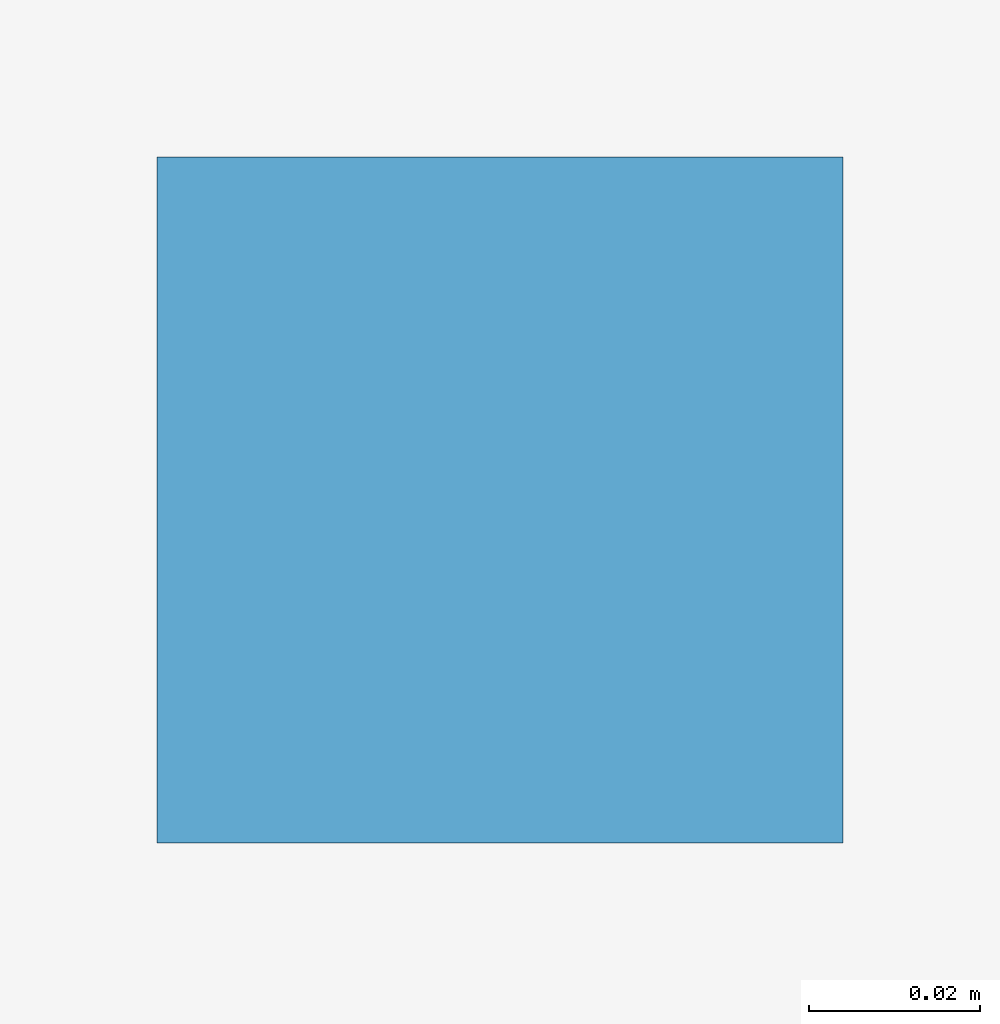
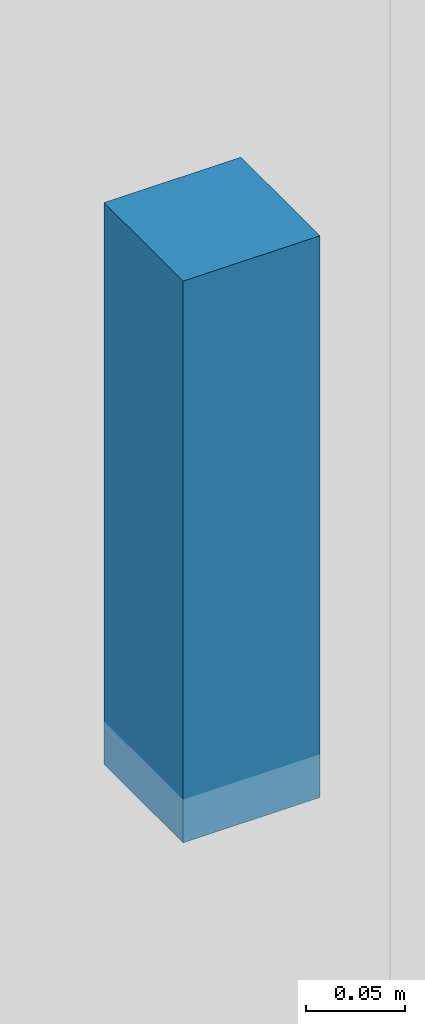
# One storey, part 97 of 116: 1 discrete accessory.
"""IFC4 building model written with IfcOpenShell, lengths in metres."""

import ifcopenshell
import ifcopenshell.guid

model = None  # the IFC model being written
_history = None  # IfcOwnerHistory: only IFC2X3 demands one
_inside = {}  # id of a spatial element -> (the spatial element, [elements in it])
_under = {}  # id of a project, library or spatial element -> (it, [spatial elements below it])
_declared = {}  # id of a project -> (the project, [libraries it declares])
_typed = {}  # id of a type object -> (the type object, [elements of that type])
_made_of = {}  # id of a material, layer set ... -> (it, [elements and type objects made of it])


def new_model(schema):
    """Start an empty IFC model of exactly this schema.

    Asked for "IFC4X3", IfcOpenShell would pick the latest addendum, in which some entities
    have other attributes; the version numbers below select the first issue.
    IFC2X3 requires an IfcOwnerHistory on every rooted entity: one is made here for all.
    """
    global model, _history
    if schema == "IFC4X3":
        model = ifcopenshell.file(schema_version=(4, 3, 0, 0))
    else:
        model = ifcopenshell.file(schema=schema)
    _inside.clear()
    _under.clear()
    _declared.clear()
    _typed.clear()
    _made_of.clear()
    _history = None
    if model.schema == "IFC2X3":
        org = make("IfcOrganization", Name="unknown")
        user = make(
            "IfcPersonAndOrganization",
            ThePerson=make("IfcPerson", FamilyName="unknown"),
            TheOrganization=org,
        )
        app = make(
            "IfcApplication",
            ApplicationDeveloper=org,
            Version="unknown",
            ApplicationFullName="unknown",
            ApplicationIdentifier="unknown",
        )
        _history = make(
            "IfcOwnerHistory",
            OwningUser=user,
            OwningApplication=app,
            ChangeAction="ADDED",
            CreationDate=0,
        )
    return model


def make(cls, **values):
    """One entity of the class cls with the attributes given. An attribute that is None is left unset."""
    return model.create_entity(
        cls, **{name: value for name, value in values.items() if value is not None}
    )


def rooted(cls, **values):
    """An entity with a GlobalId (a new one), such as an element, a storey or a relation."""
    return make(cls, GlobalId=ifcopenshell.guid.new(), OwnerHistory=_history, **values)


def si_unit(unit_type, name, prefix=None):
    """IfcSIUnit, for example si_unit("LENGTHUNIT", "METRE", prefix="MILLI")."""
    return make("IfcSIUnit", UnitType=unit_type, Prefix=prefix, Name=name)


def assignment(units):
    """IfcUnitAssignment: the units of a project."""
    return None if units is None else make("IfcUnitAssignment", Units=units)


def point(xyz):
    """IfcCartesianPoint."""
    return None if xyz is None else make("IfcCartesianPoint", Coordinates=xyz)


def direction(xyz):
    """IfcDirection."""
    return None if xyz is None else make("IfcDirection", DirectionRatios=xyz)


def frame(location, z_axis=None, x_axis=None):
    """IfcAxis2Placement3D, a coordinate frame: its origin and axes. An axis left out is left unset."""
    return make(
        "IfcAxis2Placement3D",
        Location=point(location),
        Axis=direction(z_axis),
        RefDirection=direction(x_axis),
    )


def frame_2d(location, x_axis=None):
    """IfcAxis2Placement2D, a coordinate frame in the plane: its origin and x axis."""
    return make(
        "IfcAxis2Placement2D", Location=point(location), RefDirection=direction(x_axis)
    )


def origin():
    """The frame at (0, 0, 0) with its axes left unset."""
    return frame((0.0, 0.0, 0.0))


def origin_2d():
    """The frame at (0, 0) in the plane with its x axis left unset."""
    return frame_2d((0.0, 0.0))


def place(relative_to, where):
    """IfcLocalPlacement: puts the frame where relative to a parent placement (None: the world)."""
    return make(
        "IfcLocalPlacement", PlacementRelTo=relative_to, RelativePlacement=where
    )


def context(
    kind, dimensions, precision=None, world=None, true_north=None, identifier=None
):
    """IfcGeometricRepresentationContext, for example the 3D "Model" context."""
    return make(
        "IfcGeometricRepresentationContext",
        ContextIdentifier=identifier,
        ContextType=kind,
        CoordinateSpaceDimension=dimensions,
        Precision=precision,
        WorldCoordinateSystem=world,
        TrueNorth=true_north,
    )


def subcontext(parent, identifier, kind, view, scale=None):
    """IfcGeometricRepresentationSubContext, for example "Body" below "Model"."""
    return make(
        "IfcGeometricRepresentationSubContext",
        ContextIdentifier=identifier,
        ContextType=kind,
        ParentContext=parent,
        TargetScale=scale,
        TargetView=view,
    )


def project(units=None, contexts=None):
    """IfcProject with its units and contexts."""
    return rooted(
        "IfcProject",
        Name="project",
        RepresentationContexts=contexts,
        UnitsInContext=assignment(units),
    )


def spatial(cls, under=None, at=None, **own):
    """A site, building, storey or space (cls), placed at a placement, below another one or the project."""
    s = rooted(cls, ObjectPlacement=at, **own)
    if under is not None:
        _under.setdefault(under.id(), (under, []))[1].append(s)
    return s


def profile(cls, at=None, kind="AREA", **sizes):
    """A parametric profile (cls). Its sizes go by their IFC names, for example OverallWidth=200.0."""
    return make(cls, ProfileType=kind, Position=at, **sizes)


def rectangle(**sizes):
    """IfcRectangleProfileDef."""
    return profile("IfcRectangleProfileDef", **sizes)


def extrude(swept, where, along, depth):
    """IfcExtrudedAreaSolid: the profile swept, set in the frame where, extruded along a direction by depth."""
    return make(
        "IfcExtrudedAreaSolid",
        SweptArea=swept,
        Position=where,
        ExtrudedDirection=direction(along),
        Depth=depth,
    )


def shape(context_of_items, identifier, shape_type, items):
    """IfcShapeRepresentation: the items that make up one representation, for example the "Body"."""
    return make(
        "IfcShapeRepresentation",
        ContextOfItems=context_of_items,
        RepresentationIdentifier=identifier,
        RepresentationType=shape_type,
        Items=items,
    )


def material(Name=None, Category=None):
    """IfcMaterial."""
    return make("IfcMaterial", Name=Name, Category=Category)


def made_of(thing, what):
    """Note that an element or type object is made of a material, layer set ...; save() writes the relation."""
    if what is not None:
        _made_of.setdefault(what.id(), (what, []))[1].append(thing)
    return thing


def type_object(cls, material=None, **own):
    """A type object (cls), such as IfcWallType, which elements share."""
    return made_of(rooted(cls, **own), material)


def element(
    cls,
    number,
    at=None,
    inside=None,
    cuts=None,
    type_object=None,
    material=None,
    context=None,
    identifier="Body",
    shape_type=None,
    held_by="IfcProductDefinitionShape",
    body=None,
    shapes=None,
    **own,
):
    """One element of the class cls, such as IfcWall. Its Tag is "e" and its number.

    at: its placement. inside: the storey or other place that contains it. cuts: it is an
    opening in that element (IfcRelVoidsElement). A single representation is given by context,
    identifier, shape_type and body (its items); several are given by shapes. held_by: the class
    of the entity that holds the representations. save() writes the other relations.
    """
    e = rooted(cls, Tag="e%d" % number, ObjectPlacement=at, **own)
    if body is not None:
        shapes = [shape(context, identifier, shape_type, body)]
    if shapes is not None:
        e.Representation = make(held_by, Representations=shapes)
    if inside is not None:
        _inside.setdefault(inside.id(), (inside, []))[1].append(e)
    if cuts is not None:
        rooted(
            "IfcRelVoidsElement", RelatingBuildingElement=cuts, RelatedOpeningElement=e
        )
    if type_object is not None:
        _typed.setdefault(type_object.id(), (type_object, []))[1].append(e)
    return made_of(e, material)


def aggregate(whole, parts):
    """IfcRelAggregates: a whole, such as a stair, and the parts it consists of."""
    return rooted("IfcRelAggregates", RelatingObject=whole, RelatedObjects=parts)


def save(model, path):
    """Write the relations noted so far, then the file.

    IfcRelAggregates (storeys below a building ...), IfcRelContainedInSpatialStructure (elements
    in a storey), IfcRelDefinesByType, IfcRelAssociatesMaterial and IfcRelDeclares: one each for
    every whole, place, type object, material and project.
    """
    for whole, parts in _under.values():
        aggregate(whole, parts)
    for where, things in _inside.values():
        rooted(
            "IfcRelContainedInSpatialStructure",
            RelatedElements=things,
            RelatingStructure=where,
        )
    for kind, things in _typed.values():
        rooted("IfcRelDefinesByType", RelatedObjects=things, RelatingType=kind)
    for what, things in _made_of.values():
        rooted("IfcRelAssociatesMaterial", RelatedObjects=things, RelatingMaterial=what)
    for by, libraries in _declared.values():
        rooted("IfcRelDeclares", RelatingContext=by, RelatedDefinitions=libraries)
    model.write(path)


model = new_model("IFC4")

# Units and contexts
model_context = context("Model", 3, precision=1e-05, world=origin(), true_north=direction((0.0, 1.0)))
body_context = subcontext(model_context, "Body", "Model", "MODEL_VIEW")
ifc_project = project(units=[si_unit("LENGTHUNIT", "METRE"), si_unit("AREAUNIT", "SQUARE_METRE"), si_unit("VOLUMEUNIT", "CUBIC_METRE"), si_unit("PLANEANGLEUNIT", "RADIAN"), si_unit("MASSUNIT", "GRAM", prefix="KILO")], contexts=[model_context])

# Site, building, storey
site_placement = place(None, origin())
site = spatial("IfcSite", under=ifc_project, at=site_placement, CompositionType="ELEMENT")
building_placement = place(site_placement, origin())
building = spatial("IfcBuilding", under=site, at=building_placement, Name="Chalmorin Arch Market", CompositionType="ELEMENT")
storey_placement = place(building_placement, origin())
storey = spatial("IfcBuildingStorey", under=building, at=storey_placement, Name="L00", CompositionType="ELEMENT", Elevation=0.0)

# Discrete accessory
ifc_material = material(Name="Galvanized Cold-Formed Steel", Category="steel")
discrete_accessory_type = type_object("IfcDiscreteAccessoryType", Name="CeilingSuspensionBracket-80x80", PredefinedType="BRACKET", material=ifc_material)
discrete_accessory_placement = place(storey_placement, frame((65.10009765625, 54.25, 4.2529296875), z_axis=(0.0, 0.0, 1.0), x_axis=(1.0, 0.0, 0.0)))
element("IfcDiscreteAccessory", 1, at=discrete_accessory_placement, inside=storey, type_object=discrete_accessory_type, Name="CSB-071", PredefinedType="BRACKET", context=body_context, shape_type="SweptSolid", body=[
    extrude(rectangle(XDim=0.080078125, YDim=0.080078125, at=origin_2d()), origin(), (0.0, 0.0, 1.0), 0.346923828125),
])

save(model, "model.ifc")
